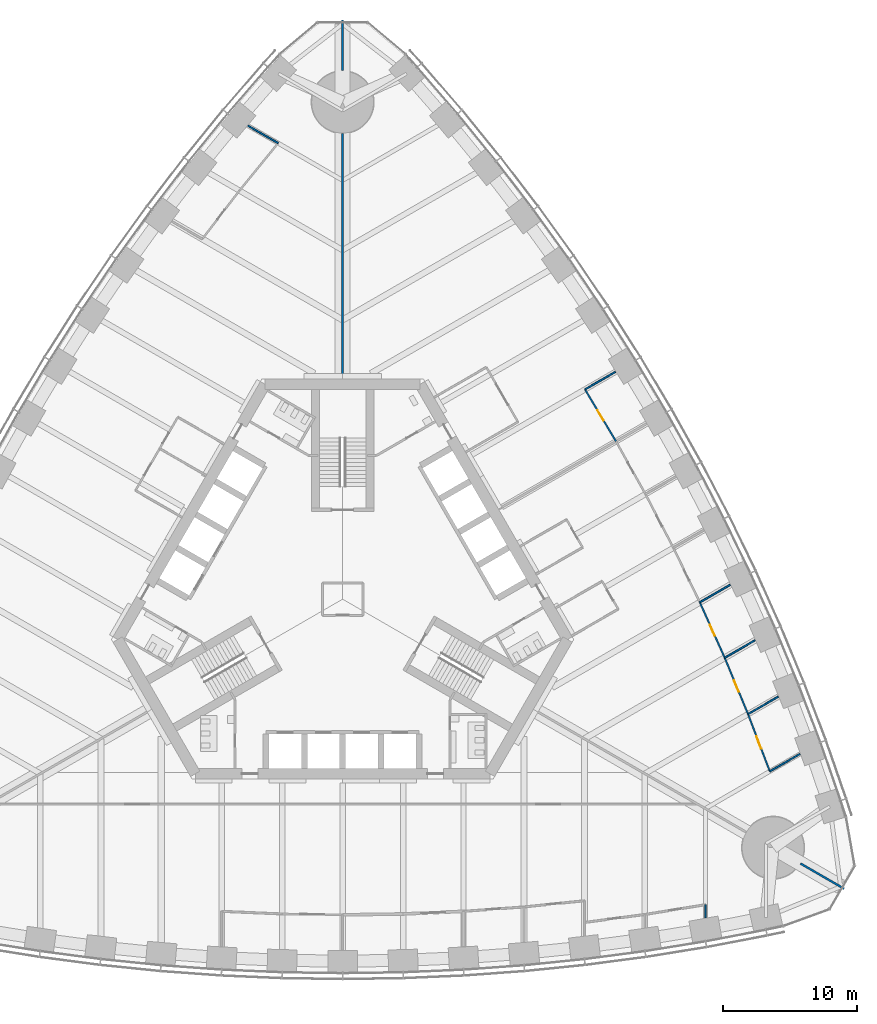
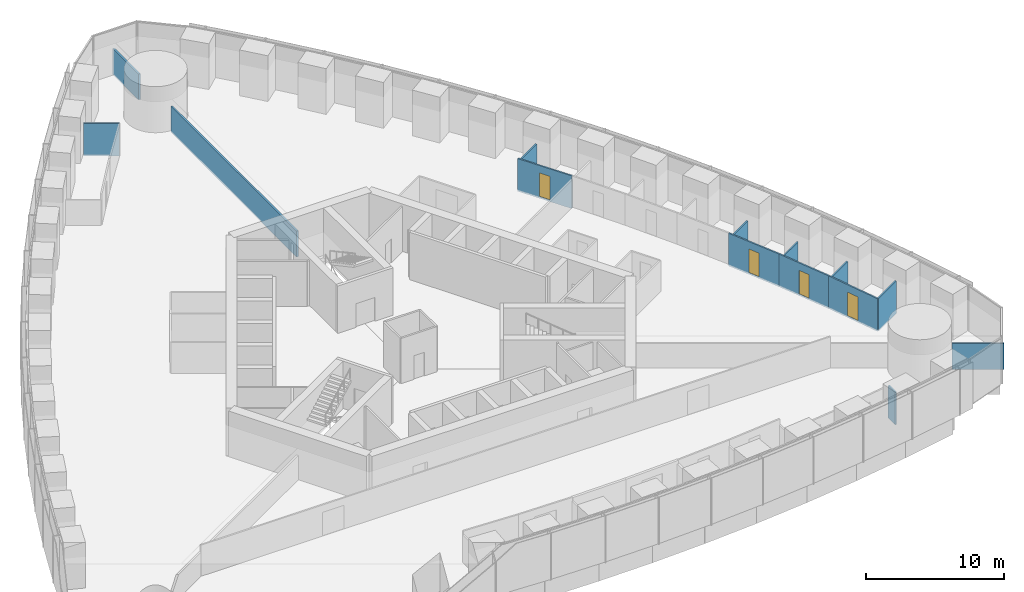
# One storey, part 13 of 19: 14 walls, 4 doors, 4 openings.
"""IFC4 building model written with IfcOpenShell, lengths in metres."""

from ifc_helpers import new_model, si_unit, direction, frame, frame_2d, origin, place, context, subcontext, project, spatial, rectangle, extrude, material, layer, layer_set, type_object, element, fill, save


model = new_model("IFC4")

# Units and contexts
model_context = context("Model", 3, precision=1e-05, world=origin(), true_north=direction((0.0, 1.0)))
body_context = subcontext(model_context, "Body", "Model", "MODEL_VIEW")
ifc_project = project(units=[si_unit("LENGTHUNIT", "METRE"), si_unit("AREAUNIT", "SQUARE_METRE"), si_unit("VOLUMEUNIT", "CUBIC_METRE"), si_unit("PLANEANGLEUNIT", "RADIAN"), si_unit("MASSUNIT", "GRAM", prefix="KILO")], contexts=[model_context])

# Site, building, storey
site_placement = place(None, origin())
site = spatial("IfcSite", under=ifc_project, at=site_placement, CompositionType="ELEMENT")
building_placement = place(site_placement, origin())
building = spatial("IfcBuilding", under=site, at=building_placement, Name="Trefoil Bronze Tower", CompositionType="ELEMENT")
storey_placement = place(building_placement, frame((0.0, 0.0, 83.699951171875)))
storey = spatial("IfcBuildingStorey", under=building, at=storey_placement, Name="L19", CompositionType="ELEMENT", Elevation=83.699951171875)

# Wall
ifc_material_1 = material(Name="Glazed partition", Category="glass")
ifc_layer_1 = layer(ifc_material_1, 0.1201171875)
ifc_layer_set_1 = layer_set([ifc_layer_1], Name="Glazed partition 120")
wall_type_1 = type_object("IfcWallType", Name="Glazed partition 120", PredefinedType="PARTITIONING", material=ifc_layer_set_1)
wall_1_placement = place(storey_placement, frame((27.0, -22.745361328125, 0.0), z_axis=(0.0, 0.0, 1.0), x_axis=(0.0, -1.0, 0.0)))
element("IfcWall", 1, at=wall_1_placement, inside=storey, type_object=wall_type_1, Name="Partition F1 L19", PredefinedType="PARTITIONING", context=body_context, shape_type="SweptSolid", body=[
    extrude(rectangle(XDim=0.97998046875, YDim=0.1201171875, at=frame_2d((0.489990234375, 0.0))), origin(), (0.0, 0.0, 1.0), 2.900146484375),
])

# Wall, opening, door
wall_2_placement = place(storey_placement, frame((20.3505859375, 11.749267578125, 0.0), z_axis=(0.0, 0.0, 1.0), x_axis=(-0.51252396108, 0.858672923364, 0.0)))
wall_2 = element("IfcWall", 2, at=wall_2_placement, inside=storey, type_object=wall_type_1, Name="Partition F2 L19", PredefinedType="PARTITIONING", context=body_context, shape_type="SweptSolid", body=[
    extrude(rectangle(XDim=4.50048828125, YDim=0.1201171875, at=frame_2d((2.250244140625, 0.0))), origin(), (0.0, 0.0, 1.0), 2.900146484375),
])
opening_1_placement = place(wall_2_placement, frame((1.800048828125, 0.0, 0.14990234375)))
opening_1 = element("IfcOpeningElement", 3, at=opening_1_placement, cuts=wall_2, Name="Opening D8", PredefinedType="OPENING", context=body_context, shape_type="SweptSolid", body=[
    extrude(rectangle(XDim=0.89990234375, YDim=2.10009765625, at=frame_2d((0.449951171875, 1.050048828125))), frame((0.0, 0.070068359375, 0.0), z_axis=(0.0, -1.0, 0.0), x_axis=(1.0, 0.0, 0.0)), (0.0, 0.0, 1.0), 0.14013671875),
])
ifc_material_2 = material(Name="Timber door", Category="wood")
door_type_1 = type_object("IfcDoorType", Name="Office door 900", OperationType="SINGLE_SWING_LEFT", PredefinedType="DOOR", material=ifc_material_2)
door_1_placement = place(opening_1_placement, frame((0.89990234375, 0.0, 0.0), z_axis=(0.0, 0.0, 1.0), x_axis=(-1.0, 0.0, 0.0)))
door_1 = element("IfcDoor", 4, at=door_1_placement, inside=storey, type_object=door_type_1, Name="Office door F2 L19", OperationType="SINGLE_SWING_RIGHT", OverallHeight=2.10009765625, OverallWidth=0.89990234375, PredefinedType="DOOR", context=body_context, shape_type="SweptSolid", body=[
    extrude(rectangle(XDim=0.89990234375, YDim=2.10009765625, at=frame_2d((0.449951171875, 1.050048828125))), frame((0.0, 0.02490234375, 0.0), z_axis=(0.0, -1.0, 0.0), x_axis=(1.0, 0.0, 0.0)), (0.0, 0.0, 1.0), 0.050048828125),
])
fill(opening_1, door_1)

wall_3_placement = place(storey_placement, frame((28.44287109375, -4.363037109375, 0.0), z_axis=(0.0, 0.0, 1.0), x_axis=(-0.409495979977, 0.912311921649, 0.0)))
wall_3 = element("IfcWall", 5, at=wall_3_placement, inside=storey, type_object=wall_type_1, Name="Partition F2 L19", PredefinedType="PARTITIONING", context=body_context, shape_type="SweptSolid", body=[
    extrude(rectangle(XDim=4.5234375, YDim=0.1201171875, at=frame_2d((2.26171875, 0.0))), origin(), (0.0, 0.0, 1.0), 2.900146484375),
])
opening_2_placement = place(wall_3_placement, frame((1.800048828125, 0.0, 0.14990234375)))
opening_2 = element("IfcOpeningElement", 6, at=opening_2_placement, cuts=wall_3, Name="Opening D8", PredefinedType="OPENING", context=body_context, shape_type="SweptSolid", body=[
    extrude(rectangle(XDim=0.89990234375, YDim=2.10009765625, at=frame_2d((0.449951171875, 1.050048828125))), frame((0.0, 0.070068359375, 0.0), z_axis=(0.0, -1.0, 0.0), x_axis=(1.0, 0.0, 0.0)), (0.0, 0.0, 1.0), 0.14013671875),
])
door_2_placement = place(opening_2_placement, frame((0.89990234375, 0.0, 0.0), z_axis=(0.0, 0.0, 1.0), x_axis=(-1.0, 0.0, 0.0)))
door_2 = element("IfcDoor", 7, at=door_2_placement, inside=storey, type_object=door_type_1, Name="Office door F2 L19", OperationType="SINGLE_SWING_RIGHT", OverallHeight=2.10009765625, OverallWidth=0.89990234375, PredefinedType="DOOR", context=body_context, shape_type="SweptSolid", body=[
    extrude(rectangle(XDim=0.89990234375, YDim=2.10009765625, at=frame_2d((0.449951171875, 1.050048828125))), frame((0.0, 0.02490234375, 0.0), z_axis=(0.0, -1.0, 0.0), x_axis=(1.0, 0.0, 0.0)), (0.0, 0.0, 1.0), 0.050048828125),
])
fill(opening_2, door_2)

wall_4_placement = place(storey_placement, frame((30.179443359375, -8.556640625, 0.0), z_axis=(0.0, 0.0, 1.0), x_axis=(-0.382594071331, 0.923916542001, 0.0)))
wall_4 = element("IfcWall", 8, at=wall_4_placement, inside=storey, type_object=wall_type_1, Name="Partition F2 L19", PredefinedType="PARTITIONING", context=body_context, shape_type="SweptSolid", body=[
    extrude(rectangle(XDim=4.5390625, YDim=0.1201171875, at=frame_2d((2.26953125, 0.0))), origin(), (0.0, 0.0, 1.0), 2.900146484375),
])
opening_3_placement = place(wall_4_placement, frame((1.800048828125, 0.0, 0.14990234375)))
opening_3 = element("IfcOpeningElement", 9, at=opening_3_placement, cuts=wall_4, Name="Opening D8", PredefinedType="OPENING", context=body_context, shape_type="SweptSolid", body=[
    extrude(rectangle(XDim=0.89990234375, YDim=2.10009765625, at=frame_2d((0.449951171875, 1.050048828125))), frame((0.0, 0.070068359375, 0.0), z_axis=(0.0, -1.0, 0.0), x_axis=(1.0, 0.0, 0.0)), (0.0, 0.0, 1.0), 0.14013671875),
])
door_3_placement = place(opening_3_placement, frame((0.89990234375, 0.0, 0.0), z_axis=(0.0, 0.0, 1.0), x_axis=(-1.0, 0.0, 0.0)))
door_3 = element("IfcDoor", 10, at=door_3_placement, inside=storey, type_object=door_type_1, Name="Office door F2 L19", OperationType="SINGLE_SWING_RIGHT", OverallHeight=2.10009765625, OverallWidth=0.89990234375, PredefinedType="DOOR", context=body_context, shape_type="SweptSolid", body=[
    extrude(rectangle(XDim=0.89990234375, YDim=2.10009765625, at=frame_2d((0.449951171875, 1.050048828125))), frame((0.0, 0.02490234375, 0.0), z_axis=(0.0, -1.0, 0.0), x_axis=(1.0, 0.0, 0.0)), (0.0, 0.0, 1.0), 0.050048828125),
])
fill(opening_3, door_3)

wall_5_placement = place(storey_placement, frame((31.79931640625, -12.8173828125, 0.0), z_axis=(0.0, 0.0, 1.0), x_axis=(-0.355369393324, 0.934725946087, 0.0)))
wall_5 = element("IfcWall", 11, at=wall_5_placement, inside=storey, type_object=wall_type_1, Name="Partition F2 L19", PredefinedType="PARTITIONING", context=body_context, shape_type="SweptSolid", body=[
    extrude(rectangle(XDim=4.558349609375, YDim=0.1201171875, at=frame_2d((2.279296875, 0.0))), origin(), (0.0, 0.0, 1.0), 2.900146484375),
])
opening_4_placement = place(wall_5_placement, frame((1.800048828125, 0.0, 0.14990234375)))
opening_4 = element("IfcOpeningElement", 12, at=opening_4_placement, cuts=wall_5, Name="Opening D9", PredefinedType="OPENING", context=body_context, shape_type="SweptSolid", body=[
    extrude(rectangle(XDim=1.0, YDim=2.10009765625, at=frame_2d((0.5, 1.050048828125))), frame((0.0, 0.070068359375, 0.0), z_axis=(0.0, -1.0, 0.0), x_axis=(1.0, 0.0, 0.0)), (0.0, 0.0, 1.0), 0.14013671875),
])
ifc_material_3 = material(Name="Glazed timber door", Category="wood")
door_type_2 = type_object("IfcDoorType", Name="Meeting room door 1000", OperationType="SINGLE_SWING_LEFT", PredefinedType="DOOR", material=ifc_material_3)
door_4_placement = place(opening_4_placement, frame((1.0, 0.0, 0.0), z_axis=(0.0, 0.0, 1.0), x_axis=(-1.0, 0.0, 0.0)))
door_4 = element("IfcDoor", 13, at=door_4_placement, inside=storey, type_object=door_type_2, Name="Meeting room door F2 L19", OperationType="SINGLE_SWING_LEFT", OverallHeight=2.10009765625, OverallWidth=1.0, PredefinedType="DOOR", context=body_context, shape_type="SweptSolid", body=[
    extrude(rectangle(XDim=1.0, YDim=2.10009765625, at=frame_2d((0.5, 1.050048828125))), frame((0.0, 0.02490234375, 0.0), z_axis=(0.0, -1.0, 0.0), x_axis=(1.0, 0.0, 0.0)), (0.0, 0.0, 1.0), 0.050048828125),
])
fill(opening_4, door_4)

# Walls
wall_6_placement = place(storey_placement, frame((18.0439453125, 15.61376953125, 0.0), z_axis=(0.0, 0.0, 1.0), x_axis=(0.865991553875, 0.500058625179, 0.0)))
element("IfcWall", 14, at=wall_6_placement, inside=storey, type_object=wall_type_1, Name="Partition F2 L19", PredefinedType="PARTITIONING", context=body_context, shape_type="SweptSolid", body=[
    extrude(rectangle(XDim=2.619384765625, YDim=0.1201171875, at=frame_2d((1.3095703125, 0.0))), origin(), (0.0, 0.0, 1.0), 2.60009765625),
])
wall_7_placement = place(storey_placement, frame((26.590576171875, -0.236328125, 0.0), z_axis=(0.0, 0.0, 1.0), x_axis=(0.866033156767, 0.499986571201, 0.0)))
element("IfcWall", 15, at=wall_7_placement, inside=storey, type_object=wall_type_1, Name="Partition F2 L19", PredefinedType="PARTITIONING", context=body_context, shape_type="SweptSolid", body=[
    extrude(rectangle(XDim=2.61376953125, YDim=0.1201171875, at=frame_2d((1.306884765625, 0.0))), origin(), (0.0, 0.0, 1.0), 2.400146484375),
])
wall_8_placement = place(storey_placement, frame((28.44287109375, -4.363037109375, 0.0), z_axis=(0.0, 0.0, 1.0), x_axis=(0.866017274468, 0.500014080125, 0.0)))
element("IfcWall", 16, at=wall_8_placement, inside=storey, type_object=wall_type_1, Name="Partition F2 L19", PredefinedType="PARTITIONING", context=body_context, shape_type="SweptSolid", body=[
    extrude(rectangle(XDim=2.60888671875, YDim=0.1201171875, at=frame_2d((1.304443359375, 0.0))), origin(), (0.0, 0.0, 1.0), 2.400146484375),
])
wall_9_placement = place(storey_placement, frame((30.179443359375, -8.556640625, 0.0), z_axis=(0.0, 0.0, 1.0), x_axis=(0.866052820039, 0.499952510647, 0.0)))
element("IfcWall", 17, at=wall_9_placement, inside=storey, type_object=wall_type_1, Name="Partition F2 L19", PredefinedType="PARTITIONING", context=body_context, shape_type="SweptSolid", body=[
    extrude(rectangle(XDim=2.602783203125, YDim=0.1201171875, at=frame_2d((1.30126953125, 0.0))), origin(), (0.0, 0.0, 1.0), 2.60009765625),
])
for number, where, z_axis, x_axis, name in (
    (18, (31.79931640625, -12.8173828125, 0.0), (0.0, 0.0, 1.0), (0.866046148833, 0.4999640668, 0.0), "Partition F2 L19"),
    (19, (-4.79931640625, 33.94775390625, 0.0), (0.0, 0.0, 1.0), (-0.866005410122, 0.500034628441, 0.0), "Partition F3 L19"),
):
    element("IfcWall", number, at=place(storey_placement, frame(where, z_axis=z_axis, x_axis=x_axis)), inside=storey, type_object=wall_type_1, Name=name, PredefinedType="PARTITIONING", context=body_context, shape_type="SweptSolid", body=[
        extrude(rectangle(XDim=2.594970703125, YDim=0.1201171875, at=frame_2d((1.29736328125, 0.0))), origin(), (0.0, 0.0, 1.0), 2.900146484375),
    ])
ifc_material_4 = material(Name="Gypsum board on steel studs", Category="steel")
ifc_layer_2 = layer(ifc_material_4, 0.14990234375)
ifc_layer_set_2 = layer_set([ifc_layer_2], Name="Party wall 150")
wall_type_2 = type_object("IfcWallType", Name="Party wall 150", PredefinedType="PARTITIONING", material=ifc_layer_set_2)
wall_10_placement = place(storey_placement, frame((34.078125, -19.675048828125, 0.0), z_axis=(0.0, 0.0, 1.0), x_axis=(0.866019247219, -0.500010663332, 0.0)))
element("IfcWall", 20, at=wall_10_placement, inside=storey, type_object=wall_type_2, Name="Party wall K1 L19", PredefinedType="PARTITIONING", context=body_context, shape_type="SweptSolid", body=[
    extrude(rectangle(XDim=3.76416015625, YDim=0.14990234375, at=frame_2d((1.882080078125, 0.0))), origin(), (0.0, 0.0, 1.0), 2.300048828125),
])
wall_11_placement = place(storey_placement, frame((0.0, 16.39990234375, 0.0), z_axis=(0.0, 0.0, 1.0), x_axis=(0.0, 1.0, 0.0)))
element("IfcWall", 21, at=wall_11_placement, inside=storey, type_object=wall_type_2, Name="Party wall K2 L19", PredefinedType="PARTITIONING", context=body_context, shape_type="SweptSolid", body=[
    extrude(rectangle(XDim=18.25, YDim=0.14990234375, at=frame_2d((9.125, 0.0))), origin(), (0.0, 0.0, 1.0), 2.300048828125),
])
wall_12_placement = place(storey_placement, frame((0.0, 39.35009765625, 0.0), z_axis=(0.0, 0.0, 1.0), x_axis=(0.0, 1.0, 0.0)))
element("IfcWall", 22, at=wall_12_placement, inside=storey, type_object=wall_type_2, Name="Party wall K2 L19", PredefinedType="PARTITIONING", context=body_context, shape_type="SweptSolid", body=[
    extrude(rectangle(XDim=3.763916015625, YDim=0.14990234375, at=frame_2d((1.8818359375, 0.0))), origin(), (0.0, 0.0, 1.0), 2.300048828125),
])

save(model, "model.ifc")
